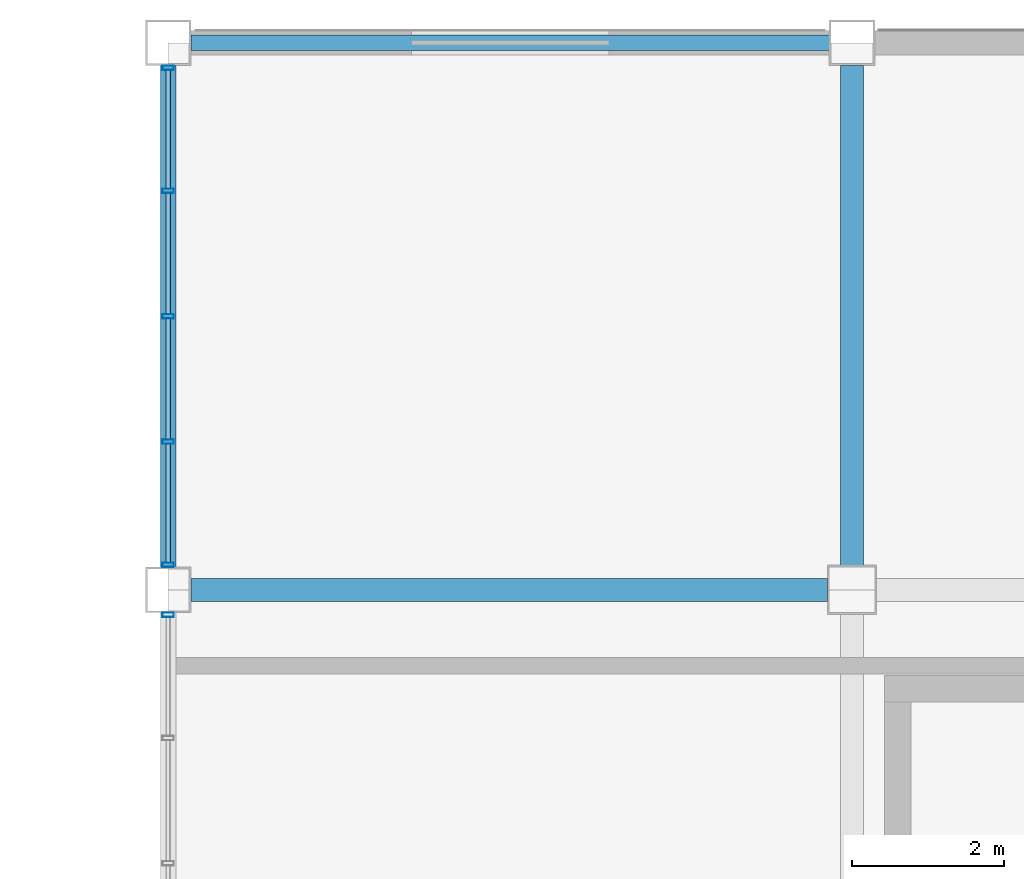
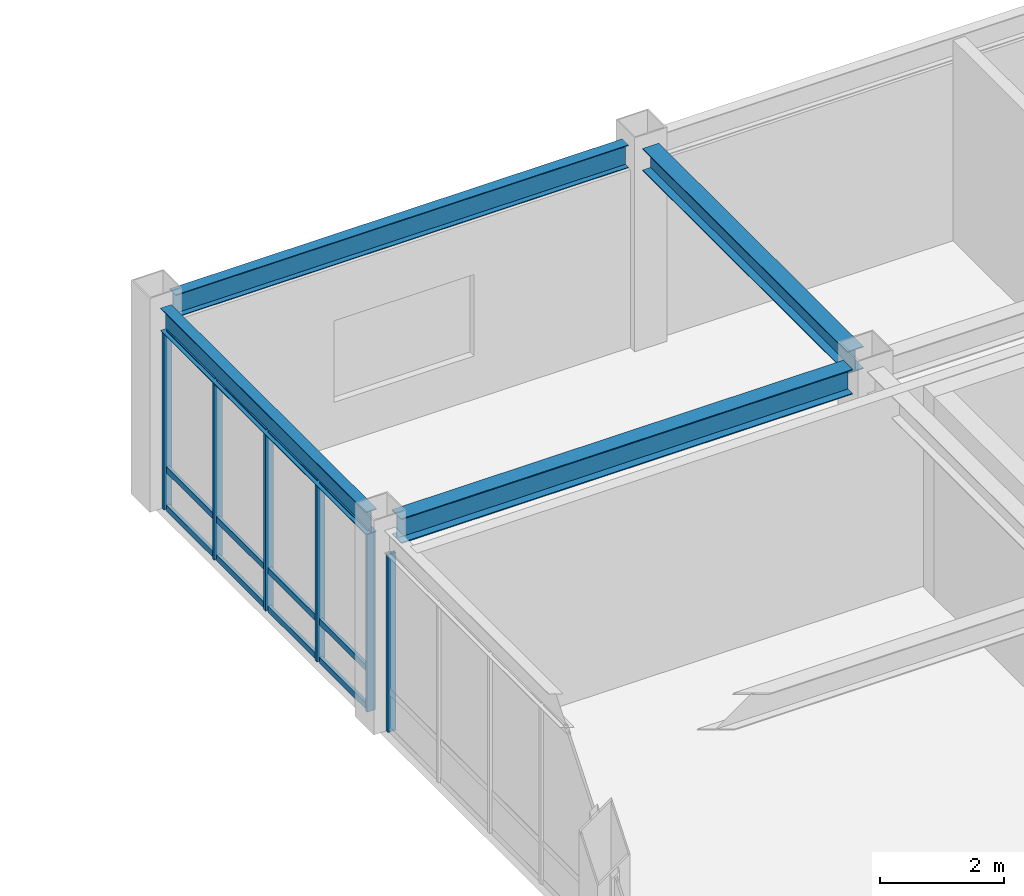
# One storey, part 70 of 106: 18 members, 4 beams, 2 elements without a shape of their own.
"""IFC4 building model written with IfcOpenShell, lengths in metres."""

from ifc_helpers import new_model, si_unit, direction, frame, origin, origin_2d, place, context, subcontext, project, spatial, hollow_rectangle, i_section, extrude, material, material_profile, profile_set, type_object, element, aggregate, save


model = new_model("IFC4")

# Units and contexts
model_context = context("Model", 3, precision=1e-05, world=origin(), true_north=direction((0.0, 1.0)))
body_context = subcontext(model_context, "Body", "Model", "MODEL_VIEW")
ifc_project = project(units=[si_unit("LENGTHUNIT", "METRE"), si_unit("AREAUNIT", "SQUARE_METRE"), si_unit("VOLUMEUNIT", "CUBIC_METRE"), si_unit("PLANEANGLEUNIT", "RADIAN"), si_unit("MASSUNIT", "GRAM", prefix="KILO")], contexts=[model_context])

# Site, building, storey
site_placement = place(None, origin())
site = spatial("IfcSite", under=ifc_project, at=site_placement, CompositionType="ELEMENT")
building_placement = place(site_placement, origin())
building = spatial("IfcBuilding", under=site, at=building_placement, Name="Kazanami Central Library", CompositionType="ELEMENT")
storey_placement = place(building_placement, frame((0.0, 0.0, 12.800048828125)))
storey = spatial("IfcBuildingStorey", under=building, at=storey_placement, Name="L04", CompositionType="ELEMENT", Elevation=12.800048828125)

# Beams
ifc_material_1 = material(Name="Steel SN490B (325 MPa)", Category="steel")
ifc_material_profile_1 = material_profile(ifc_material_1, i_section(OverallWidth=0.300048828125, OverallDepth=0.488037109375, WebThickness=0.010986328125, FlangeThickness=0.01806640625, at=origin_2d()), Name="H-488x300x11x18")
ifc_profile_set_1 = profile_set([ifc_material_profile_1], Name="Steel SN490B (325 MPa)")
beam_type_1 = type_object("IfcBeamType", Name="BM-G-X5", PredefinedType="BEAM", material=ifc_profile_set_1)
beam_1_placement = place(storey_placement, frame((117.298095703125, 86.39990234375, 3.696044921875), z_axis=(1.0, 0.0, 0.0), x_axis=(0.0, 1.0, 0.0)))
element("IfcBeam", 1, at=beam_1_placement, inside=storey, type_object=beam_type_1, Name="Girder G-X5 L04 N/14-15", PredefinedType="BEAM", context=body_context, shape_type="SweptSolid", body=[
    extrude(i_section(OverallWidth=0.300048828125, OverallDepth=0.488037109375, WebThickness=0.010986328125, FlangeThickness=0.01806640625, at=origin_2d()), origin(), (0.0, 0.0, 1.0), 8.37890625),
])
ifc_material_profile_2 = material_profile(ifc_material_1, i_section(OverallWidth=0.300048828125, OverallDepth=0.43994140625, WebThickness=0.010986328125, FlangeThickness=0.01806640625, at=origin_2d()), Name="H-440x300x11x18")
ifc_profile_set_2 = profile_set([ifc_material_profile_2], Name="Steel SN490B (325 MPa)")
beam_type_2 = type_object("IfcBeamType", Name="BM-G-Y4", PredefinedType="BEAM", material=ifc_profile_set_2)
beam_2_placement = place(storey_placement, frame((126.0, 86.722900390625, 3.719970703125), z_axis=(0.0, 1.0, 0.0), x_axis=(-1.0, 0.0, 0.0)))
element("IfcBeam", 2, at=beam_2_placement, inside=storey, type_object=beam_type_2, Name="Girder G-Y4 L04 15/N-O", PredefinedType="BEAM", context=body_context, shape_type="SweptSolid", body=[
    extrude(i_section(OverallWidth=0.300048828125, OverallDepth=0.43994140625, WebThickness=0.010986328125, FlangeThickness=0.01806640625, at=origin_2d()), origin(), (0.0, 0.0, 1.0), 6.5791015625),
])
ifc_material_profile_3 = material_profile(ifc_material_1, i_section(OverallWidth=0.199951171875, OverallDepth=0.449951171875, WebThickness=0.009033203125, FlangeThickness=0.013916015625, at=origin_2d()), Name="H-450x200x9x14")
ifc_profile_set_3 = profile_set([ifc_material_profile_3], Name="Steel SN490B (325 MPa)")
beam_type_3 = type_object("IfcBeamType", Name="BM-SP-2", PredefinedType="SPANDREL", material=ifc_profile_set_3)
beam_3_placement = place(storey_placement, frame((117.298095703125, 93.60009765625, 3.71484375), z_axis=(1.0, 0.0, 0.0), x_axis=(0.0, 1.0, 0.0)))
element("IfcBeam", 3, at=beam_3_placement, inside=storey, type_object=beam_type_3, Name="Girder SP-2 L04 O/14-15", PredefinedType="SPANDREL", context=body_context, shape_type="SweptSolid", body=[
    extrude(i_section(OverallWidth=0.199951171875, OverallDepth=0.449951171875, WebThickness=0.009033203125, FlangeThickness=0.013916015625, at=origin_2d()), origin(), (0.0, 0.0, 1.0), 8.40380859375),
])
beam_4_placement = place(storey_placement, frame((117.0, 86.697998046875, 3.71484375), z_axis=(0.0, 1.0, 0.0), x_axis=(-1.0, 0.0, 0.0)))
element("IfcBeam", 4, at=beam_4_placement, inside=storey, type_object=beam_type_3, Name="Girder SP-2 L04 14/N-O", PredefinedType="SPANDREL", context=body_context, shape_type="SweptSolid", body=[
    extrude(i_section(OverallWidth=0.199951171875, OverallDepth=0.449951171875, WebThickness=0.009033203125, FlangeThickness=0.013916015625, at=origin_2d()), origin(), (0.0, 0.0, 1.0), 6.60400390625),
])

# Curtain wall, member
ifc_material_2 = material(Name="Acid-Etched Low-E Laminated Glass", Category="glass")
curtain_wall_type = type_object("IfcCurtainWallType", Name="CW-6600x3490-M180", PredefinedType="USERDEFINED", material=ifc_material_2)
curtain_wall_1_placement = place(storey_placement, origin())
curtain_wall_1 = element("IfcCurtainWall", 5, at=curtain_wall_1_placement, inside=storey, type_object=curtain_wall_type, Name="Covered Link Bridge Curtain Wall CW-48 L04 W-14-11", ObjectType="UNITISED CURTAIN WALL", PredefinedType="USERDEFINED")
ifc_material_3 = material(Name="Anodised Aluminium A6063-T5", Category="aluminium")
ifc_material_profile_4 = material_profile(ifc_material_3, hollow_rectangle(XDim=0.06005859375, YDim=0.14990234375, WallThickness=0.00390625, at=origin_2d()), Name="ALU-MULL-60x150x4")
ifc_profile_set_4 = profile_set([ifc_material_profile_4], Name="Anodised Aluminium A6063-T5")
member_type_1 = type_object("IfcMemberType", Name="MEM-CW-M3", PredefinedType="MULLION", material=ifc_profile_set_4)
member_1_placement = place(storey_placement, frame((117.0, 86.070068359375, 0.0), z_axis=(0.0, 0.0, 1.0), x_axis=(0.0, 1.0, 0.0)))
member_1 = element("IfcMember", 6, at=member_1_placement, type_object=member_type_1, Name="CW-48 mullion 5", PredefinedType="MULLION", context=body_context, shape_type="SweptSolid", body=[
    extrude(hollow_rectangle(XDim=0.06005859375, YDim=0.14990234375, WallThickness=0.00390625, at=origin_2d()), origin(), (0.0, 0.0, 1.0), 3.489990234375),
])
aggregate(curtain_wall_1, [member_1])

# Curtain wall, members
curtain_wall_2_placement = place(storey_placement, origin())
curtain_wall_2 = element("IfcCurtainWall", 7, at=curtain_wall_2_placement, inside=storey, type_object=curtain_wall_type, Name="Covered Link Bridge Curtain Wall CW-48 L04 W-14-12", ObjectType="UNITISED CURTAIN WALL", PredefinedType="USERDEFINED")
member_2_placement = place(storey_placement, frame((117.0, 86.72998046875, 0.0), z_axis=(0.0, 0.0, 1.0), x_axis=(0.0, 1.0, 0.0)))
member_2 = element("IfcMember", 8, at=member_2_placement, type_object=member_type_1, Name="CW-48 mullion 1", PredefinedType="MULLION", context=body_context, shape_type="SweptSolid", body=[
    extrude(hollow_rectangle(XDim=0.06005859375, YDim=0.14990234375, WallThickness=0.00390625, at=origin_2d()), origin(), (0.0, 0.0, 1.0), 3.489990234375),
])
member_3_placement = place(storey_placement, frame((117.0, 88.35009765625, 0.0), z_axis=(0.0, 0.0, 1.0), x_axis=(0.0, 1.0, 0.0)))
member_3 = element("IfcMember", 9, at=member_3_placement, type_object=member_type_1, Name="CW-48 mullion 2", PredefinedType="MULLION", context=body_context, shape_type="SweptSolid", body=[
    extrude(hollow_rectangle(XDim=0.06005859375, YDim=0.14990234375, WallThickness=0.00390625, at=origin_2d()), origin(), (0.0, 0.0, 1.0), 3.489990234375),
])
member_4_placement = place(storey_placement, frame((117.0, 90.0, 0.0), z_axis=(0.0, 0.0, 1.0), x_axis=(0.0, 1.0, 0.0)))
member_4 = element("IfcMember", 10, at=member_4_placement, type_object=member_type_1, Name="CW-48 mullion 3", PredefinedType="MULLION", context=body_context, shape_type="SweptSolid", body=[
    extrude(hollow_rectangle(XDim=0.06005859375, YDim=0.14990234375, WallThickness=0.00390625, at=origin_2d()), origin(), (0.0, 0.0, 1.0), 3.489990234375),
])
member_5_placement = place(storey_placement, frame((117.0, 91.64990234375, 0.0), z_axis=(0.0, 0.0, 1.0), x_axis=(0.0, 1.0, 0.0)))
member_5 = element("IfcMember", 11, at=member_5_placement, type_object=member_type_1, Name="CW-48 mullion 4", PredefinedType="MULLION", context=body_context, shape_type="SweptSolid", body=[
    extrude(hollow_rectangle(XDim=0.06005859375, YDim=0.14990234375, WallThickness=0.00390625, at=origin_2d()), origin(), (0.0, 0.0, 1.0), 3.489990234375),
])
member_6_placement = place(storey_placement, frame((117.0, 93.27001953125, 0.0), z_axis=(0.0, 0.0, 1.0), x_axis=(0.0, 1.0, 0.0)))
member_6 = element("IfcMember", 12, at=member_6_placement, type_object=member_type_1, Name="CW-48 mullion 5", PredefinedType="MULLION", context=body_context, shape_type="SweptSolid", body=[
    extrude(hollow_rectangle(XDim=0.06005859375, YDim=0.14990234375, WallThickness=0.00390625, at=origin_2d()), origin(), (0.0, 0.0, 1.0), 3.489990234375),
])
ifc_material_profile_5 = material_profile(ifc_material_3, hollow_rectangle(XDim=0.06005859375, YDim=0.1201171875, WallThickness=0.00341796875, at=origin_2d()), Name="ALU-TRAN-60x120x3.5")
ifc_profile_set_5 = profile_set([ifc_material_profile_5], Name="Anodised Aluminium A6063-T5")
member_type_2 = type_object("IfcMemberType", Name="MEM-CW-T3", PredefinedType="USERDEFINED", material=ifc_profile_set_5)
member_7_placement = place(storey_placement, frame((117.0, 86.760009765625, 0.030029296875), z_axis=(0.0, 1.0, 0.0), x_axis=(-1.0, 0.0, 0.0)))
member_7 = element("IfcMember", 13, at=member_7_placement, type_object=member_type_2, Name="CW-48 transom 1.1", ObjectType="TRANSOM", PredefinedType="USERDEFINED", context=body_context, shape_type="SweptSolid", body=[
    extrude(hollow_rectangle(XDim=0.06005859375, YDim=0.1201171875, WallThickness=0.00341796875, at=origin_2d()), origin(), (0.0, 0.0, 1.0), 1.56005859375),
])
member_8_placement = place(storey_placement, frame((117.0, 86.760009765625, 0.780029296875), z_axis=(0.0, 1.0, 0.0), x_axis=(-1.0, 0.0, 0.0)))
member_8 = element("IfcMember", 14, at=member_8_placement, type_object=member_type_2, Name="CW-48 transom 1.2", ObjectType="TRANSOM", PredefinedType="USERDEFINED", context=body_context, shape_type="SweptSolid", body=[
    extrude(hollow_rectangle(XDim=0.06005859375, YDim=0.1201171875, WallThickness=0.00341796875, at=origin_2d()), origin(), (0.0, 0.0, 1.0), 1.56005859375),
])
member_9_placement = place(storey_placement, frame((117.0, 86.760009765625, 3.4599609375), z_axis=(0.0, 1.0, 0.0), x_axis=(-1.0, 0.0, 0.0)))
member_9 = element("IfcMember", 15, at=member_9_placement, type_object=member_type_2, Name="CW-48 transom 1.3", ObjectType="TRANSOM", PredefinedType="USERDEFINED", context=body_context, shape_type="SweptSolid", body=[
    extrude(hollow_rectangle(XDim=0.06005859375, YDim=0.1201171875, WallThickness=0.00341796875, at=origin_2d()), origin(), (0.0, 0.0, 1.0), 1.56005859375),
])
member_10_placement = place(storey_placement, frame((117.0, 88.3798828125, 0.030029296875), z_axis=(0.0, 1.0, 0.0), x_axis=(-1.0, 0.0, 0.0)))
member_10 = element("IfcMember", 16, at=member_10_placement, type_object=member_type_2, Name="CW-48 transom 2.1", ObjectType="TRANSOM", PredefinedType="USERDEFINED", context=body_context, shape_type="SweptSolid", body=[
    extrude(hollow_rectangle(XDim=0.06005859375, YDim=0.1201171875, WallThickness=0.00341796875, at=origin_2d()), origin(), (0.0, 0.0, 1.0), 1.590087890625),
])
member_11_placement = place(storey_placement, frame((117.0, 88.3798828125, 0.780029296875), z_axis=(0.0, 1.0, 0.0), x_axis=(-1.0, 0.0, 0.0)))
member_11 = element("IfcMember", 17, at=member_11_placement, type_object=member_type_2, Name="CW-48 transom 2.2", ObjectType="TRANSOM", PredefinedType="USERDEFINED", context=body_context, shape_type="SweptSolid", body=[
    extrude(hollow_rectangle(XDim=0.06005859375, YDim=0.1201171875, WallThickness=0.00341796875, at=origin_2d()), origin(), (0.0, 0.0, 1.0), 1.590087890625),
])
member_12_placement = place(storey_placement, frame((117.0, 88.3798828125, 3.4599609375), z_axis=(0.0, 1.0, 0.0), x_axis=(-1.0, 0.0, 0.0)))
member_12 = element("IfcMember", 18, at=member_12_placement, type_object=member_type_2, Name="CW-48 transom 2.3", ObjectType="TRANSOM", PredefinedType="USERDEFINED", context=body_context, shape_type="SweptSolid", body=[
    extrude(hollow_rectangle(XDim=0.06005859375, YDim=0.1201171875, WallThickness=0.00341796875, at=origin_2d()), origin(), (0.0, 0.0, 1.0), 1.590087890625),
])
member_13_placement = place(storey_placement, frame((117.0, 90.030029296875, 0.030029296875), z_axis=(0.0, 1.0, 0.0), x_axis=(-1.0, 0.0, 0.0)))
member_13 = element("IfcMember", 19, at=member_13_placement, type_object=member_type_2, Name="CW-48 transom 3.1", ObjectType="TRANSOM", PredefinedType="USERDEFINED", context=body_context, shape_type="SweptSolid", body=[
    extrude(hollow_rectangle(XDim=0.06005859375, YDim=0.1201171875, WallThickness=0.00341796875, at=origin_2d()), origin(), (0.0, 0.0, 1.0), 1.590087890625),
])
member_14_placement = place(storey_placement, frame((117.0, 90.030029296875, 0.780029296875), z_axis=(0.0, 1.0, 0.0), x_axis=(-1.0, 0.0, 0.0)))
member_14 = element("IfcMember", 20, at=member_14_placement, type_object=member_type_2, Name="CW-48 transom 3.2", ObjectType="TRANSOM", PredefinedType="USERDEFINED", context=body_context, shape_type="SweptSolid", body=[
    extrude(hollow_rectangle(XDim=0.06005859375, YDim=0.1201171875, WallThickness=0.00341796875, at=origin_2d()), origin(), (0.0, 0.0, 1.0), 1.590087890625),
])
member_15_placement = place(storey_placement, frame((117.0, 90.030029296875, 3.4599609375), z_axis=(0.0, 1.0, 0.0), x_axis=(-1.0, 0.0, 0.0)))
member_15 = element("IfcMember", 21, at=member_15_placement, type_object=member_type_2, Name="CW-48 transom 3.3", ObjectType="TRANSOM", PredefinedType="USERDEFINED", context=body_context, shape_type="SweptSolid", body=[
    extrude(hollow_rectangle(XDim=0.06005859375, YDim=0.1201171875, WallThickness=0.00341796875, at=origin_2d()), origin(), (0.0, 0.0, 1.0), 1.590087890625),
])
member_16_placement = place(storey_placement, frame((117.0, 91.679931640625, 0.030029296875), z_axis=(0.0, 1.0, 0.0), x_axis=(-1.0, 0.0, 0.0)))
member_16 = element("IfcMember", 22, at=member_16_placement, type_object=member_type_2, Name="CW-48 transom 4.1", ObjectType="TRANSOM", PredefinedType="USERDEFINED", context=body_context, shape_type="SweptSolid", body=[
    extrude(hollow_rectangle(XDim=0.06005859375, YDim=0.1201171875, WallThickness=0.00341796875, at=origin_2d()), origin(), (0.0, 0.0, 1.0), 1.56005859375),
])
member_17_placement = place(storey_placement, frame((117.0, 91.679931640625, 0.780029296875), z_axis=(0.0, 1.0, 0.0), x_axis=(-1.0, 0.0, 0.0)))
member_17 = element("IfcMember", 23, at=member_17_placement, type_object=member_type_2, Name="CW-48 transom 4.2", ObjectType="TRANSOM", PredefinedType="USERDEFINED", context=body_context, shape_type="SweptSolid", body=[
    extrude(hollow_rectangle(XDim=0.06005859375, YDim=0.1201171875, WallThickness=0.00341796875, at=origin_2d()), origin(), (0.0, 0.0, 1.0), 1.56005859375),
])
member_18_placement = place(storey_placement, frame((117.0, 91.679931640625, 3.4599609375), z_axis=(0.0, 1.0, 0.0), x_axis=(-1.0, 0.0, 0.0)))
member_18 = element("IfcMember", 24, at=member_18_placement, type_object=member_type_2, Name="CW-48 transom 4.3", ObjectType="TRANSOM", PredefinedType="USERDEFINED", context=body_context, shape_type="SweptSolid", body=[
    extrude(hollow_rectangle(XDim=0.06005859375, YDim=0.1201171875, WallThickness=0.00341796875, at=origin_2d()), origin(), (0.0, 0.0, 1.0), 1.56005859375),
])
aggregate(curtain_wall_2, [member_2, member_3, member_4, member_5, member_6, member_7, member_8, member_9, member_10, member_11, member_12, member_13, member_14, member_15, member_16, member_17, member_18])

save(model, "model.ifc")
